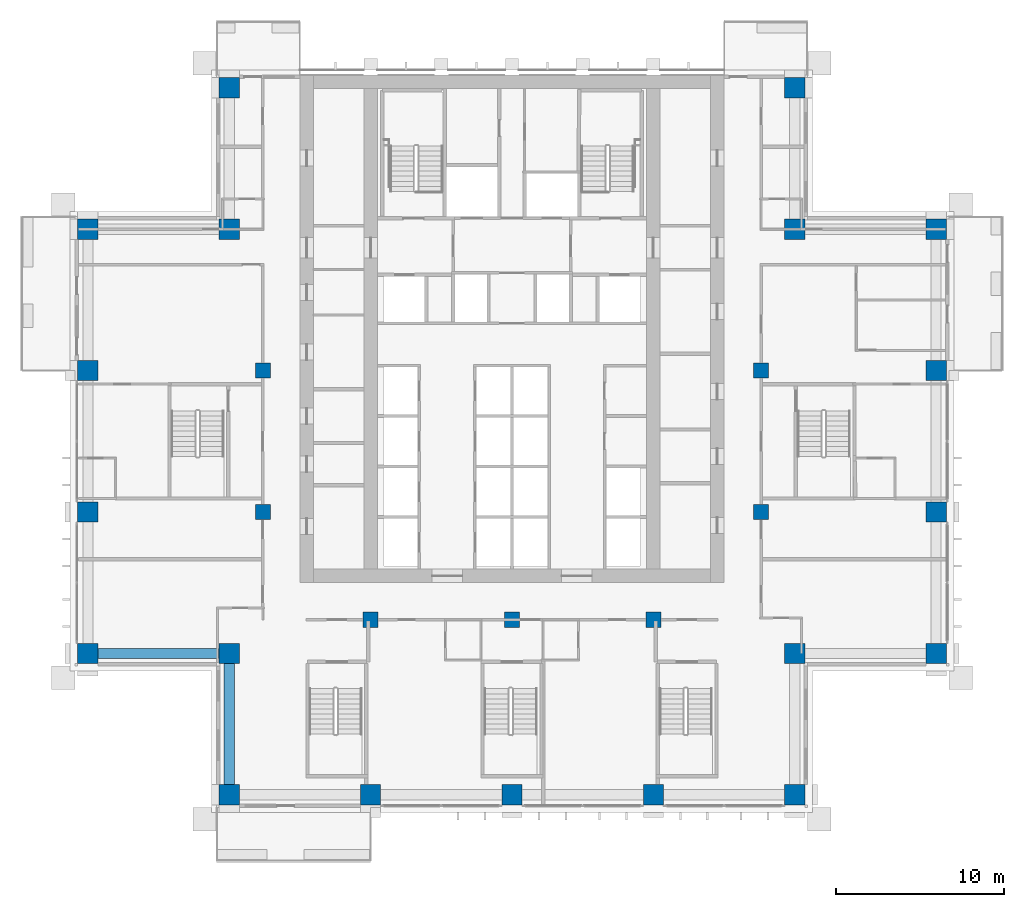
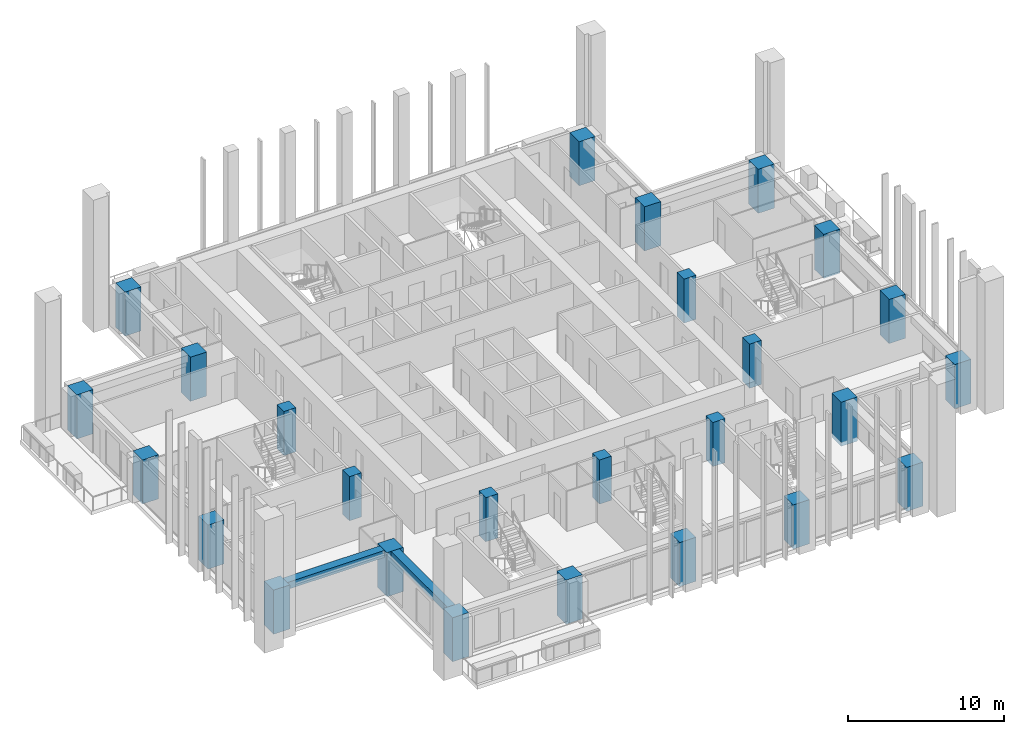
# One storey, part 1 of 18: 26 columns, 2 beams.
"""IFC4 building model written with IfcOpenShell, lengths in metres."""

from ifc_helpers import new_model, si_unit, direction, frame, origin, origin_2d, place, context, subcontext, project, spatial, rectangle, extrude, material, material_profile, profile_set, type_object, element, save


model = new_model("IFC4")

# Units and contexts
model_context = context("Model", 3, precision=1e-05, world=origin(), true_north=direction((0.0, 1.0)))
body_context = subcontext(model_context, "Body", "Model", "MODEL_VIEW")
ifc_project = project(units=[si_unit("LENGTHUNIT", "METRE"), si_unit("AREAUNIT", "SQUARE_METRE"), si_unit("VOLUMEUNIT", "CUBIC_METRE"), si_unit("PLANEANGLEUNIT", "RADIAN"), si_unit("MASSUNIT", "GRAM", prefix="KILO")], contexts=[model_context])

# Site, building, storey
site_placement = place(None, origin())
site = spatial("IfcSite", under=ifc_project, at=site_placement, CompositionType="ELEMENT")
building_placement = place(site_placement, origin())
building = spatial("IfcBuilding", under=site, at=building_placement, Name="Vermilion Ogive Tower", CompositionType="ELEMENT")
storey_placement = place(building_placement, frame((0.0, 0.0, 80.39990234375)))
storey = spatial("IfcBuildingStorey", under=building, at=storey_placement, Name="L19", CompositionType="ELEMENT", Elevation=80.39990234375)

# Columns
ifc_material_1 = material(Name="Concrete B80", Category="concrete")
ifc_material_profile_1 = material_profile(ifc_material_1, rectangle(XDim=1.199951171875, YDim=1.199951171875, at=origin_2d()), Name="1200 x 1200")
ifc_profile_set_1 = profile_set([ifc_material_profile_1], Name="Concrete B80")
column_type_1 = type_object("IfcColumnType", Name="Perimeter column 1200 x 1200 B80", PredefinedType="COLUMN", material=ifc_profile_set_1)
for number, where, z_axis, x_axis, name in (
    (1, (-16.800048828125, -21.0, -0.31982421875), (0.0, 0.0, 1.0), (1.0, 0.0, 0.0), "COL-L19-P-0168-210"),
    (2, (-8.39990234375, -21.0, -0.31982421875), (0.0, 0.0, 1.0), (1.0, 0.0, 0.0), "COL-L19-P-0084-210"),
    (3, (0.0, -21.0, -0.31982421875), (0.0, 0.0, 1.0), (1.0, 0.0, 0.0), "COL-L19-P+0000-210"),
    (4, (8.39990234375, -21.0, -0.31982421875), (0.0, 0.0, 1.0), (1.0, 0.0, 0.0), "COL-L19-P+0084-210"),
    (5, (16.800048828125, -21.0, -0.31982421875), (0.0, 0.0, 1.0), (1.0, 0.0, 0.0), "COL-L19-P+0168-210"),
    (6, (-25.199951171875, -12.60009765625, -0.31982421875), (0.0, 0.0, 1.0), (1.0, 0.0, 0.0), "COL-L19-P-0252-126"),
    (7, (-16.800048828125, -12.60009765625, -0.31982421875), (0.0, 0.0, 1.0), (1.0, 0.0, 0.0), "COL-L19-P-0168-126"),
    (8, (16.800048828125, -12.60009765625, -0.31982421875), (0.0, 0.0, 1.0), (1.0, 0.0, 0.0), "COL-L19-P+0168-126"),
    (9, (25.199951171875, -12.60009765625, -0.31982421875), (0.0, 0.0, 1.0), (1.0, 0.0, 0.0), "COL-L19-P+0252-126"),
    (10, (-25.199951171875, -4.199951171875, -0.31982421875), (0.0, 0.0, 1.0), (1.0, 0.0, 0.0), "COL-L19-P-0252-042"),
    (11, (25.199951171875, -4.199951171875, -0.31982421875), (0.0, 0.0, 1.0), (1.0, 0.0, 0.0), "COL-L19-P+0252-042"),
    (12, (-25.199951171875, 4.199951171875, -0.31982421875), (0.0, 0.0, 1.0), (1.0, 0.0, 0.0), "COL-L19-P-0252+042"),
    (13, (25.199951171875, 4.199951171875, -0.31982421875), (0.0, 0.0, 1.0), (1.0, 0.0, 0.0), "COL-L19-P+0252+042"),
    (14, (-25.199951171875, 12.60009765625, -0.31982421875), (0.0, 0.0, 1.0), (1.0, 0.0, 0.0), "COL-L19-P-0252+126"),
    (15, (-16.800048828125, 12.60009765625, -0.31982421875), (0.0, 0.0, 1.0), (1.0, 0.0, 0.0), "COL-L19-P-0168+126"),
    (16, (16.800048828125, 12.60009765625, -0.31982421875), (0.0, 0.0, 1.0), (1.0, 0.0, 0.0), "COL-L19-P+0168+126"),
    (17, (25.199951171875, 12.60009765625, -0.31982421875), (0.0, 0.0, 1.0), (1.0, 0.0, 0.0), "COL-L19-P+0252+126"),
    (18, (-16.800048828125, 21.0, -0.31982421875), (0.0, 0.0, 1.0), (1.0, 0.0, 0.0), "COL-L19-P-0168+210"),
    (19, (16.800048828125, 21.0, -0.31982421875), (0.0, 0.0, 1.0), (1.0, 0.0, 0.0), "COL-L19-P+0168+210"),
):
    element("IfcColumn", number, at=place(storey_placement, frame(where, z_axis=z_axis, x_axis=x_axis)), inside=storey, type_object=column_type_1, Name=name, PredefinedType="COLUMN", context=body_context, shape_type="SweptSolid", body=[
        extrude(rectangle(XDim=1.199951171875, YDim=1.199951171875, at=origin_2d()), origin(), (0.0, 0.0, 1.0), 3.449951171875),
    ])
ifc_material_2 = material(Name="Concrete B80", Category="concrete")
ifc_material_profile_2 = material_profile(ifc_material_2, rectangle(XDim=0.89990234375, YDim=0.89990234375, at=origin_2d()), Name="900 x 900")
ifc_profile_set_2 = profile_set([ifc_material_profile_2], Name="Concrete B80")
column_type_2 = type_object("IfcColumnType", Name="Ring column 900 x 900 B80", PredefinedType="COLUMN", material=ifc_profile_set_2)
for number, where, z_axis, x_axis, name in (
    (20, (-8.39990234375, -10.60009765625, -0.31982421875), (0.0, 0.0, 1.0), (1.0, 0.0, 0.0), "COL-L19-R-0084-106"),
    (21, (0.0, -10.60009765625, -0.31982421875), (0.0, 0.0, 1.0), (1.0, 0.0, 0.0), "COL-L19-R+0000-106"),
    (22, (8.39990234375, -10.60009765625, -0.31982421875), (0.0, 0.0, 1.0), (1.0, 0.0, 0.0), "COL-L19-R+0084-106"),
    (23, (-14.800048828125, -4.199951171875, -0.31982421875), (0.0, 0.0, 1.0), (1.0, 0.0, 0.0), "COL-L19-R-0148-042"),
    (24, (14.800048828125, -4.199951171875, -0.31982421875), (0.0, 0.0, 1.0), (1.0, 0.0, 0.0), "COL-L19-R+0148-042"),
    (25, (-14.800048828125, 4.199951171875, -0.31982421875), (0.0, 0.0, 1.0), (1.0, 0.0, 0.0), "COL-L19-R-0148+042"),
    (26, (14.800048828125, 4.199951171875, -0.31982421875), (0.0, 0.0, 1.0), (1.0, 0.0, 0.0), "COL-L19-R+0148+042"),
):
    element("IfcColumn", number, at=place(storey_placement, frame(where, z_axis=z_axis, x_axis=x_axis)), inside=storey, type_object=column_type_2, Name=name, PredefinedType="COLUMN", context=body_context, shape_type="SweptSolid", body=[
        extrude(rectangle(XDim=0.89990234375, YDim=0.89990234375, at=origin_2d()), origin(), (0.0, 0.0, 1.0), 3.449951171875),
    ])

# Beams
ifc_material_3 = material(Name="Concrete B45", Category="concrete")
ifc_material_profile_3 = material_profile(ifc_material_3, rectangle(XDim=0.60009765625, YDim=0.550048828125, at=origin_2d()), Name="600 x 550")
ifc_profile_set_3 = profile_set([ifc_material_profile_3], Name="Concrete B45")
beam_type = type_object("IfcBeamType", Name="Edge beam 600 x 550 B45", PredefinedType="BEAM", material=ifc_profile_set_3)
beam_1_placement = place(storey_placement, frame((-24.60009765625, -12.60009765625, 2.85498046875), z_axis=(1.0, 0.0, 0.0), x_axis=(0.0, 1.0, 0.0)))
element("IfcBeam", 27, at=beam_1_placement, inside=storey, type_object=beam_type, Name="L19-EB-17", PredefinedType="BEAM", context=body_context, shape_type="SweptSolid", body=[
    extrude(rectangle(XDim=0.60009765625, YDim=0.550048828125, at=origin_2d()), origin(), (0.0, 0.0, 1.0), 7.2001953125),
])
beam_2_placement = place(storey_placement, frame((-16.800048828125, -13.199951171875, 2.85498046875), z_axis=(0.0, -1.0, 0.0), x_axis=(1.0, 0.0, 0.0)))
element("IfcBeam", 28, at=beam_2_placement, inside=storey, type_object=beam_type, Name="L19-EB-18", PredefinedType="BEAM", context=body_context, shape_type="SweptSolid", body=[
    extrude(rectangle(XDim=0.60009765625, YDim=0.550048828125, at=origin_2d()), origin(), (0.0, 0.0, 1.0), 7.199951171875),
])

save(model, "model.ifc")
